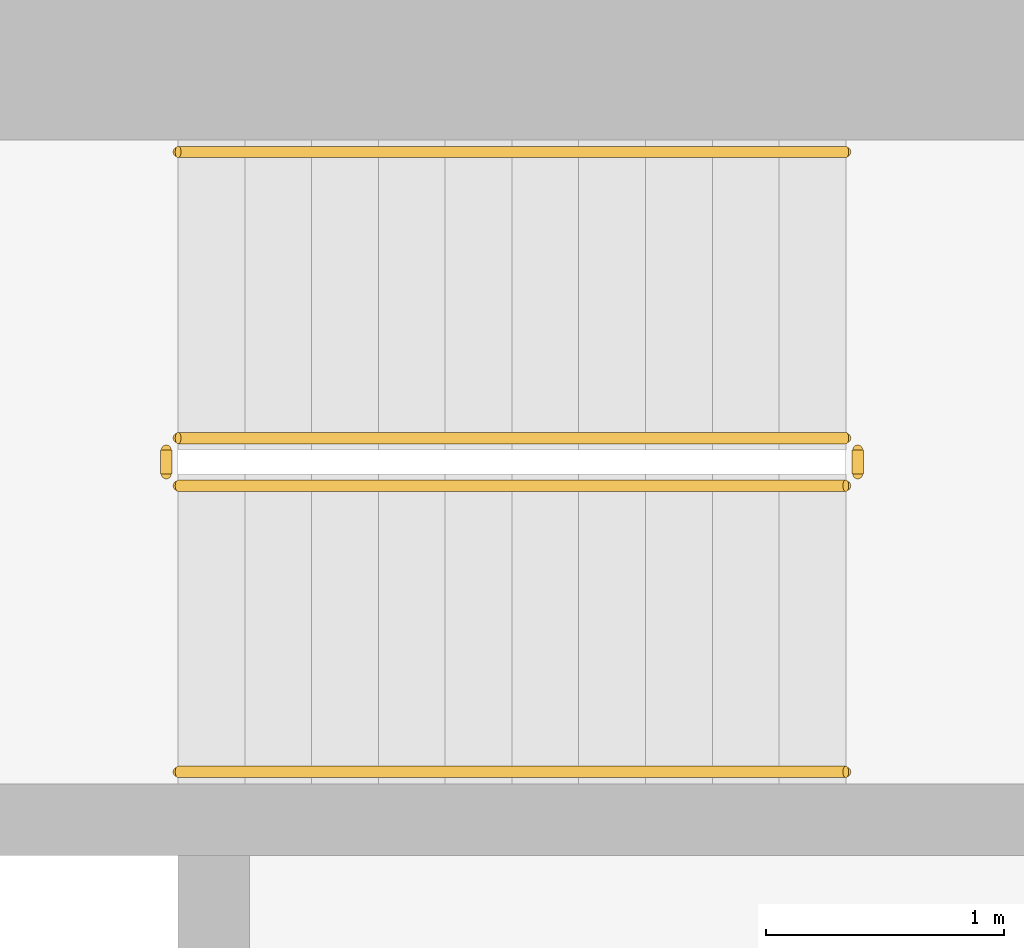
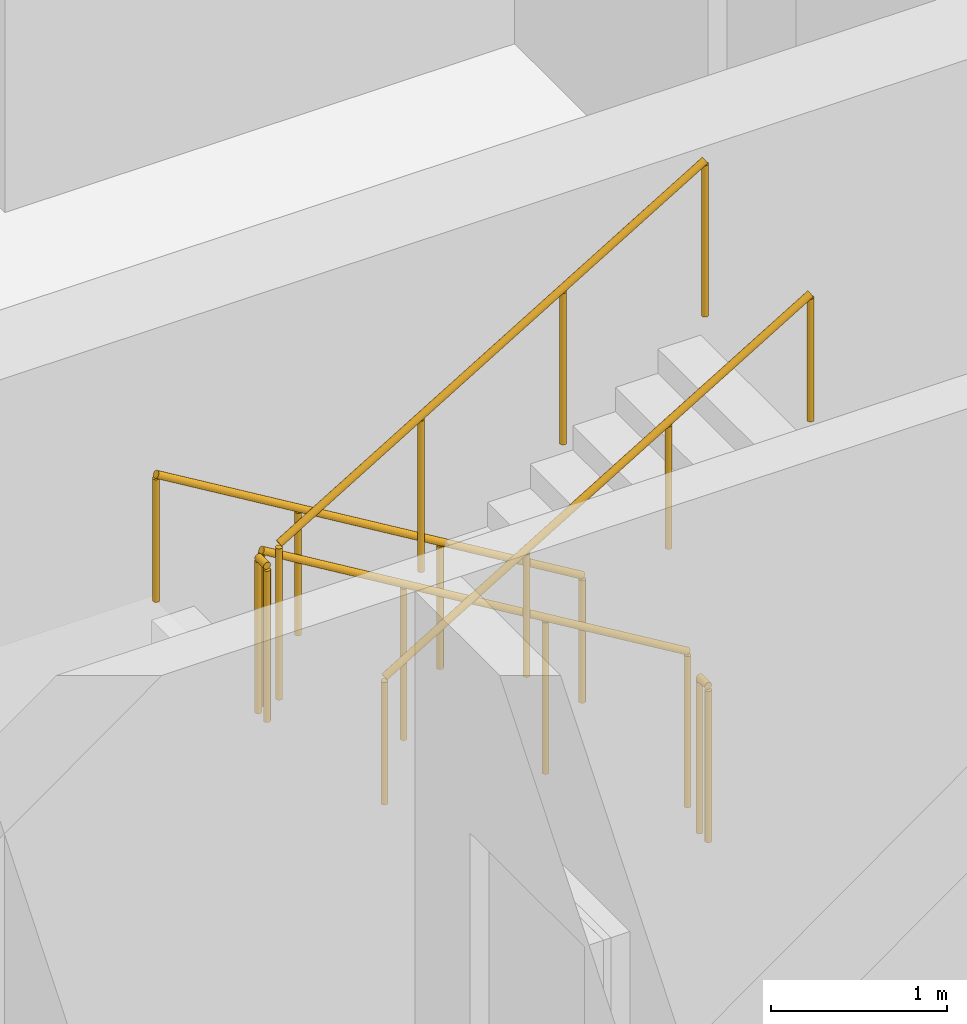
# One storey, part 18 of 23: 6 railings.
"""IFC4 building model written with IfcOpenShell, lengths in metres."""

from ifc_helpers import new_model, si_unit, direction, frame, origin, origin_2d, place, context, subcontext, project, spatial, circle, extrude, material, type_object, element, save


model = new_model("IFC4")

# Units and contexts
model_context = context("Model", 3, precision=1e-05, world=origin(), true_north=direction((0.0, 1.0)))
body_context = subcontext(model_context, "Body", "Model", "MODEL_VIEW")
ifc_project = project(units=[si_unit("LENGTHUNIT", "METRE"), si_unit("AREAUNIT", "SQUARE_METRE"), si_unit("VOLUMEUNIT", "CUBIC_METRE"), si_unit("PLANEANGLEUNIT", "RADIAN"), si_unit("MASSUNIT", "GRAM", prefix="KILO")], contexts=[model_context])

# Site, building, storey
site_placement = place(None, origin())
site = spatial("IfcSite", under=ifc_project, at=site_placement, CompositionType="ELEMENT")
building_placement = place(site_placement, origin())
building = spatial("IfcBuilding", under=site, at=building_placement, Name="Ogive Portal Towers", CompositionType="ELEMENT")
storey_placement = place(building_placement, frame((0.0, 0.0, 149.60009765625)))
storey = spatial("IfcBuildingStorey", under=building, at=storey_placement, Name="L36", CompositionType="ELEMENT", Elevation=149.60009765625)

# Railings
ifc_material_1 = material(Name="Stainless steel balustrade", Category="steel")
railing_type_1 = type_object("IfcRailingType", Name="INT-GUARD", PredefinedType="GUARDRAIL", material=ifc_material_1)
railing_1_placement = place(storey_placement, frame((37.449951171875, 37.800048828125, 0.16796875)))
element("IfcRailing", 1, at=railing_1_placement, inside=storey, type_object=railing_type_1, Name="L36 ST-A1 stair guard 1", PredefinedType="GUARDRAIL", context=body_context, shape_type="SweptSolid", body=[
    extrude(circle(Radius=0.02392578125, at=origin_2d()), frame((0.0, 0.0, 1.076171875), z_axis=(-0.857242210791, 0.0, 0.514913383045), x_axis=(0.0, -1.0, 0.0)), (0.0, 0.0, 1.0), 3.266357421875),
    extrude(circle(Radius=0.02099609375, at=origin_2d()), origin(), (0.0, 0.0, 1.0), 1.052001953125),
    extrude(circle(Radius=0.02099609375, at=origin_2d()), frame((-0.933349609375, 0.0, 0.560546875)), (0.0, 0.0, 1.0), 1.052001953125),
    extrude(circle(Radius=0.02099609375, at=origin_2d()), frame((-1.86669921875, 0.0, 1.121337890625)), (0.0, 0.0, 1.0), 1.052001953125),
    extrude(circle(Radius=0.02099609375, at=origin_2d()), frame((-2.800048828125, 0.0, 1.681884765625)), (0.0, 0.0, 1.0), 1.052001953125),
])
railing_2_placement = place(storey_placement, frame((34.60009765625, 37.75, 1.849853515625)))
element("IfcRailing", 2, at=railing_2_placement, inside=storey, type_object=railing_type_1, Name="L36 ST-A1 stair guard 2", PredefinedType="GUARDRAIL", context=body_context, shape_type="SweptSolid", body=[
    extrude(circle(Radius=0.02392578125, at=origin_2d()), frame((0.0, 0.0, 1.076171875), z_axis=(0.0, -1.0, 0.0), x_axis=(1.0, 0.0, 0.0)), (0.0, 0.0, 1.0), 0.10009765625),
    extrude(circle(Radius=0.02099609375, at=origin_2d()), origin(), (0.0, 0.0, 1.0), 1.052001953125),
    extrude(circle(Radius=0.02099609375, at=origin_2d()), frame((0.0, -0.10009765625, 0.0)), (0.0, 0.0, 1.0), 1.052001953125),
])
railing_3_placement = place(storey_placement, frame((34.64990234375, 37.60009765625, 2.01806640625)))
element("IfcRailing", 3, at=railing_3_placement, inside=storey, type_object=railing_type_1, Name="L36 ST-A1 stair guard 3", PredefinedType="GUARDRAIL", context=body_context, shape_type="SweptSolid", body=[
    extrude(circle(Radius=0.02392578125, at=origin_2d()), frame((0.0, 0.0, 1.076171875), z_axis=(0.857242210791, 0.0, 0.514913383045), x_axis=(0.0, 1.0, 0.0)), (0.0, 0.0, 1.0), 3.266357421875),
    extrude(circle(Radius=0.02099609375, at=origin_2d()), origin(), (0.0, 0.0, 1.0), 1.052001953125),
    extrude(circle(Radius=0.02099609375, at=origin_2d()), frame((0.933349609375, 0.0, 0.560546875)), (0.0, 0.0, 1.0), 1.052001953125),
    extrude(circle(Radius=0.02099609375, at=origin_2d()), frame((1.86669921875, 0.0, 1.121337890625)), (0.0, 0.0, 1.0), 1.052001953125),
    extrude(circle(Radius=0.02099609375, at=origin_2d()), frame((2.800048828125, 0.0, 1.681884765625)), (0.0, 0.0, 1.0), 1.052001953125),
])
railing_4_placement = place(storey_placement, frame((37.5, 37.75, 0.0)))
element("IfcRailing", 4, at=railing_4_placement, inside=storey, type_object=railing_type_1, Name="L36 ST-A1 stair guard 4", PredefinedType="GUARDRAIL", context=body_context, shape_type="SweptSolid", body=[
    extrude(circle(Radius=0.02392578125, at=origin_2d()), frame((0.0, 0.0, 1.076171875), z_axis=(0.0, -1.0, 0.0), x_axis=(1.0, 0.0, 0.0)), (0.0, 0.0, 1.0), 0.10009765625),
    extrude(circle(Radius=0.02099609375, at=origin_2d()), origin(), (0.0, 0.0, 1.0), 1.052001953125),
    extrude(circle(Radius=0.02099609375, at=origin_2d()), frame((0.0, -0.10009765625, 0.0)), (0.0, 0.0, 1.0), 1.052001953125),
])
ifc_material_2 = material(Name="Stainless steel handrail", Category="steel")
railing_type_2 = type_object("IfcRailingType", Name="INT-HANDRAIL", PredefinedType="HANDRAIL", material=ifc_material_2)
railing_5_placement = place(storey_placement, frame((37.449951171875, 39.0, 0.16796875)))
element("IfcRailing", 5, at=railing_5_placement, inside=storey, type_object=railing_type_2, Name="L36 ST-A1 stair handrail 1", PredefinedType="HANDRAIL", context=body_context, shape_type="SweptSolid", body=[
    extrude(circle(Radius=0.02392578125, at=origin_2d()), frame((0.0, 0.0, 0.8759765625), z_axis=(-0.857242210791, 0.0, 0.514913383045), x_axis=(0.0, -1.0, 0.0)), (0.0, 0.0, 1.0), 3.266357421875),
    extrude(circle(Radius=0.02099609375, at=origin_2d()), origin(), (0.0, 0.0, 1.0), 0.851806640625),
    extrude(circle(Radius=0.02099609375, at=origin_2d()), frame((-0.933349609375, 0.0, 0.560546875)), (0.0, 0.0, 1.0), 0.851806640625),
    extrude(circle(Radius=0.02099609375, at=origin_2d()), frame((-1.86669921875, 0.0, 1.121337890625)), (0.0, 0.0, 1.0), 0.851806640625),
    extrude(circle(Radius=0.02099609375, at=origin_2d()), frame((-2.800048828125, 0.0, 1.681884765625)), (0.0, 0.0, 1.0), 0.851806640625),
])
railing_6_placement = place(storey_placement, frame((34.64990234375, 36.39990234375, 2.01806640625)))
element("IfcRailing", 6, at=railing_6_placement, inside=storey, type_object=railing_type_2, Name="L36 ST-A1 stair handrail 2", PredefinedType="HANDRAIL", context=body_context, shape_type="SweptSolid", body=[
    extrude(circle(Radius=0.02392578125, at=origin_2d()), frame((0.0, 0.0, 0.8759765625), z_axis=(0.857242210791, 0.0, 0.514913383045), x_axis=(0.0, 1.0, 0.0)), (0.0, 0.0, 1.0), 3.266357421875),
    extrude(circle(Radius=0.02099609375, at=origin_2d()), origin(), (0.0, 0.0, 1.0), 0.851806640625),
    extrude(circle(Radius=0.02099609375, at=origin_2d()), frame((0.933349609375, 0.0, 0.560546875)), (0.0, 0.0, 1.0), 0.851806640625),
    extrude(circle(Radius=0.02099609375, at=origin_2d()), frame((1.86669921875, 0.0, 1.121337890625)), (0.0, 0.0, 1.0), 0.851806640625),
    extrude(circle(Radius=0.02099609375, at=origin_2d()), frame((2.800048828125, 0.0, 1.681884765625)), (0.0, 0.0, 1.0), 0.851806640625),
])

save(model, "model.ifc")
